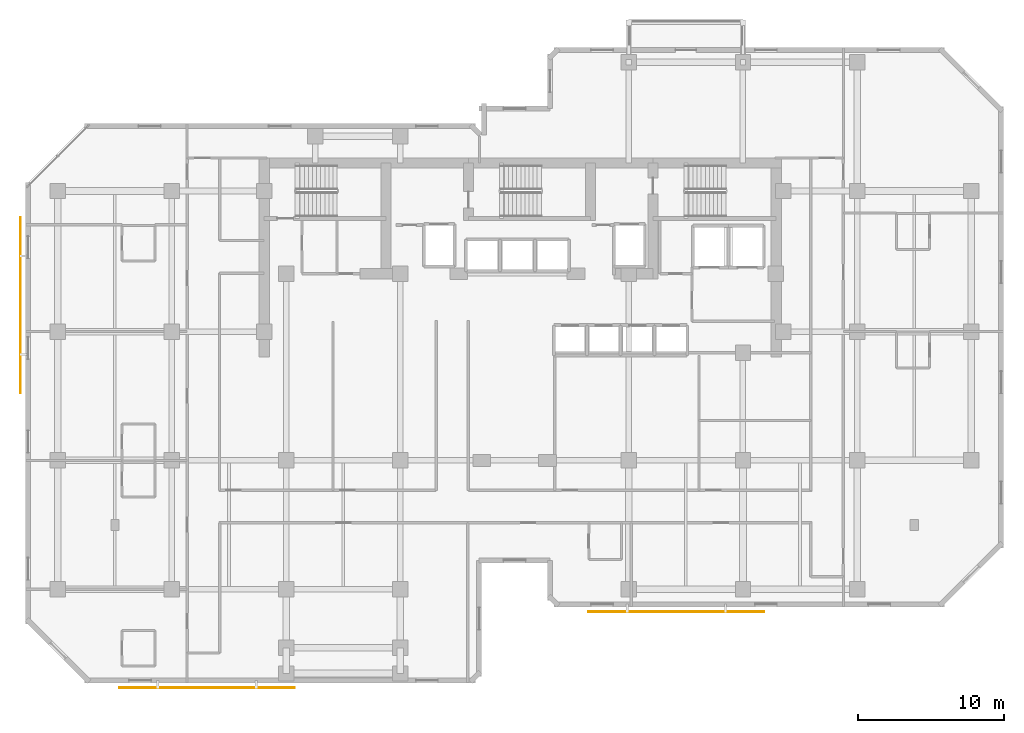
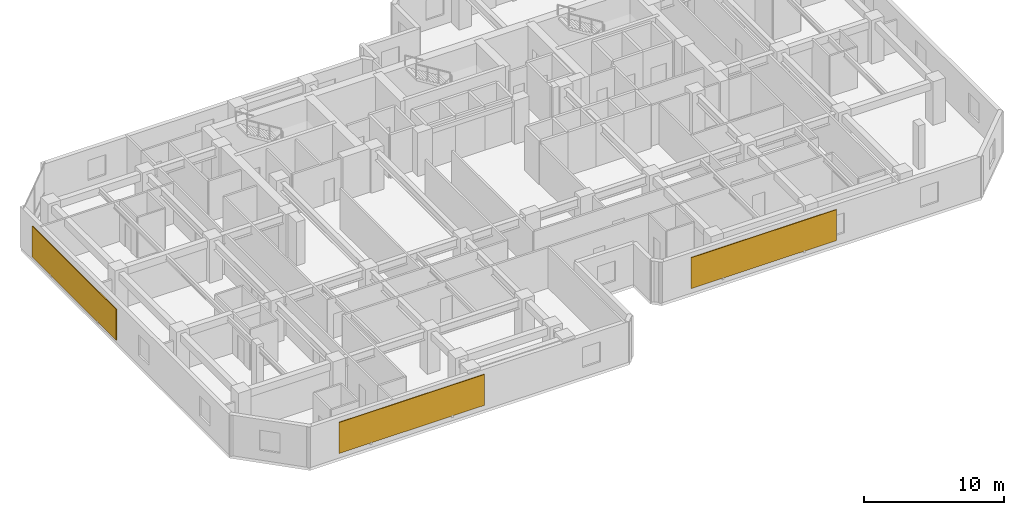
# One storey, part 9 of 10: 3 shading devices.
"""IFC4 building model written with IfcOpenShell, lengths in metres."""

from ifc_helpers import new_model, si_unit, direction, frame, origin, origin_2d, place, context, subcontext, project, spatial, rectangle, extrude, material, layer, layer_set, type_object, element, save


model = new_model("IFC4")

# Units and contexts
model_context = context("Model", 3, precision=1e-05, world=origin(), true_north=direction((0.0, 1.0)))
body_context = subcontext(model_context, "Body", "Model", "MODEL_VIEW")
ifc_project = project(units=[si_unit("LENGTHUNIT", "METRE"), si_unit("AREAUNIT", "SQUARE_METRE"), si_unit("VOLUMEUNIT", "CUBIC_METRE"), si_unit("PLANEANGLEUNIT", "RADIAN"), si_unit("MASSUNIT", "GRAM", prefix="KILO")], contexts=[model_context])

# Site, building, storey
site_placement = place(None, origin())
site = spatial("IfcSite", under=ifc_project, at=site_placement, CompositionType="ELEMENT")
building_placement = place(site_placement, origin())
building = spatial("IfcBuilding", under=site, at=building_placement, Name="Kestravale Grand Hotel", CompositionType="ELEMENT")
storey_placement = place(building_placement, frame((0.0, 0.0, 149.800048828125)))
storey = spatial("IfcBuildingStorey", under=building, at=storey_placement, Name="L37", CompositionType="ELEMENT", Elevation=149.800048828125)

# Shading devices
ifc_material = material(Name="Perforated champagne-bronze aluminium and ceramic solar screen", Category="aluminium")
ifc_layer = layer(ifc_material, 0.06494140625)
ifc_layer_set = layer_set([ifc_layer], Name="SHD-SCR-CHEV")
shading_device_type = type_object("IfcShadingDeviceType", Name="SHD-SCR-CHEV", PredefinedType="USERDEFINED", material=ifc_layer_set)
for number, where, z_axis, x_axis, name in (
    (1, (18.0, 4.4599609375, 0.7001953125), (0.0, 0.0, 1.0), (1.0, 0.0, 0.0), "L37 Perforated bronze ceramic chevron solar screen SCR-L37-01"),
    (2, (50.050048828125, 9.659912109375, 0.7001953125), (0.0, 0.0, 1.0), (1.0, 0.0, 0.0), "L37 Perforated bronze ceramic chevron solar screen SCR-L37-07"),
    (3, (5.260009765625, 30.60009765625, 0.7001953125), (0.0, 0.0, 1.0), (0.0, -1.0, 0.0), "L37 Perforated bronze ceramic chevron solar screen SCR-L37-19"),
):
    element("IfcShadingDevice", number, at=place(storey_placement, frame(where, z_axis=z_axis, x_axis=x_axis)), inside=storey, type_object=shading_device_type, Name=name, ObjectType="SCREEN", PredefinedType="USERDEFINED", context=body_context, shape_type="SweptSolid", body=[
        extrude(rectangle(XDim=12.0, YDim=0.06494140625, at=origin_2d()), origin(), (0.0, 0.0, 1.0), 2.699951171875),
    ])

save(model, "model.ifc")
